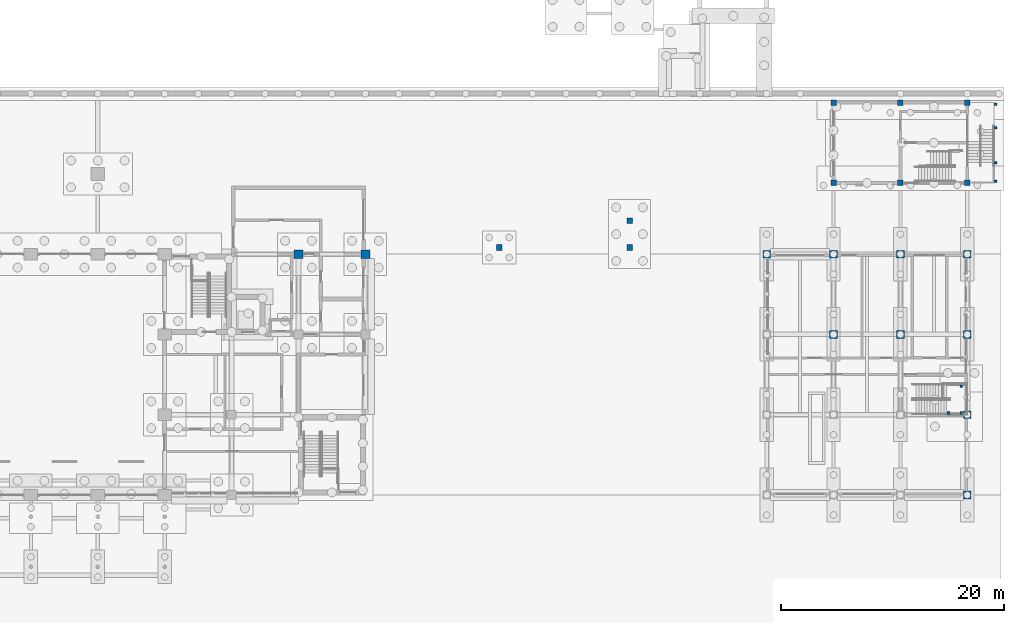
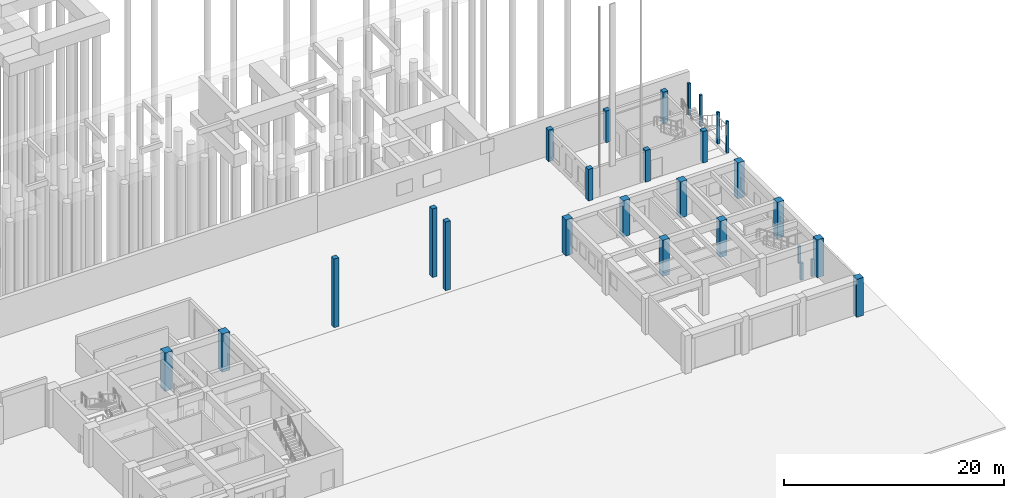
# One storey, part 12 of 37: 27 columns.
"""IFC4 building model written with IfcOpenShell, lengths in metres."""

from ifc_helpers import new_model, si_unit, direction, frame, origin, origin_2d, place, context, subcontext, project, spatial, rectangle, extrude, material, material_profile, profile_set, type_object, element, save


model = new_model("IFC4")

# Units and contexts
model_context = context("Model", 3, precision=1e-05, world=origin(), true_north=direction((0.0, 1.0)))
body_context = subcontext(model_context, "Body", "Model", "MODEL_VIEW")
ifc_project = project(units=[si_unit("LENGTHUNIT", "METRE"), si_unit("AREAUNIT", "SQUARE_METRE"), si_unit("VOLUMEUNIT", "CUBIC_METRE"), si_unit("PLANEANGLEUNIT", "RADIAN"), si_unit("MASSUNIT", "GRAM", prefix="KILO")], contexts=[model_context])

# Site, building, storey
site_placement = place(None, origin())
site = spatial("IfcSite", under=ifc_project, at=site_placement, CompositionType="ELEMENT")
building_placement = place(site_placement, origin())
building = spatial("IfcBuilding", under=site, at=building_placement, Name="Laocheng Heights Fire and Rescue Headquarters", CompositionType="ELEMENT")
storey_placement = place(building_placement, origin())
storey = spatial("IfcBuildingStorey", under=building, at=storey_placement, Name="L00", CompositionType="ELEMENT", Elevation=0.0)

# Columns
ifc_material_1 = material(Name="Concrete C40", Category="concrete")
ifc_material_profile_1 = material_profile(ifc_material_1, rectangle(XDim=0.5, YDim=0.5, at=origin_2d()), Name="RC COLUMN 500x500 BRIDGE PIER")
ifc_profile_set_1 = profile_set([ifc_material_profile_1], Name="Concrete C40")
column_type_1 = type_object("IfcColumnType", Name="RC COLUMN 500x500 BRIDGE PIER", PredefinedType="COLUMN", material=ifc_profile_set_1)
for number, where, z_axis, x_axis, name in (
    (1, (84.0, 22.199951171875, 0.0), (0.0, 0.0, 1.0), (1.0, 0.0, 0.0), "Bridge pier"),
    (2, (95.699951171875, 22.199951171875, 0.0), (0.0, 0.0, 1.0), (1.0, 0.0, 0.0), "Bridge B4 corner pier"),
    (3, (95.699951171875, 24.60009765625, 0.0), (0.0, 0.0, 1.0), (1.0, 0.0, 0.0), "Bridge B4 corner pier"),
):
    element("IfcColumn", number, at=place(storey_placement, frame(where, z_axis=z_axis, x_axis=x_axis)), inside=storey, type_object=column_type_1, Name=name, PredefinedType="COLUMN", context=body_context, shape_type="SweptSolid", body=[
        extrude(rectangle(XDim=0.5, YDim=0.5, at=origin_2d()), origin(), (0.0, 0.0, 1.0), 7.60009765625),
    ])
ifc_material_2 = material(Name="Concrete C50", Category="concrete")
ifc_material_profile_2 = material_profile(ifc_material_2, rectangle(XDim=0.5, YDim=0.5, at=origin_2d()), Name="RC COLUMN 500x500 C50 DRILL TOWER")
ifc_profile_set_2 = profile_set([ifc_material_profile_2], Name="Concrete C50")
column_type_2 = type_object("IfcColumnType", Name="RC COLUMN 500x500 C50 DRILL TOWER", PredefinedType="COLUMN", material=ifc_profile_set_2)
for number, where, z_axis, x_axis, name in (
    (4, (114.0, 28.0, 0.0), (0.0, 0.0, 1.0), (1.0, 0.0, 0.0), "Drill tower column F1 114/28"),
    (5, (120.0, 28.0, 0.0), (0.0, 0.0, 1.0), (1.0, 0.0, 0.0), "Drill tower column F1 120/28"),
    (6, (126.0, 28.0, 0.0), (0.0, 0.0, 1.0), (1.0, 0.0, 0.0), "Drill tower column F1 126/28"),
    (7, (114.0, 35.199951171875, 0.0), (0.0, 0.0, 1.0), (1.0, 0.0, 0.0), "Drill tower column F1 114/35.2"),
    (8, (120.0, 35.199951171875, 0.0), (0.0, 0.0, 1.0), (1.0, 0.0, 0.0), "Drill tower column F1 120/35.2"),
    (9, (126.0, 35.199951171875, 0.0), (0.0, 0.0, 1.0), (1.0, 0.0, 0.0), "Drill tower column F1 126/35.2"),
):
    element("IfcColumn", number, at=place(storey_placement, frame(where, z_axis=z_axis, x_axis=x_axis)), inside=storey, type_object=column_type_2, Name=name, PredefinedType="COLUMN", context=body_context, shape_type="SweptSolid", body=[
        extrude(rectangle(XDim=0.5, YDim=0.5, at=origin_2d()), origin(), (0.0, 0.0, 1.0), 3.5),
    ])
ifc_material_3 = material(Name="Concrete C45", Category="concrete")
ifc_material_profile_3 = material_profile(ifc_material_3, rectangle(XDim=0.699951171875, YDim=0.699951171875, at=origin_2d()), Name="RC COLUMN 700x700 WORKSHOP")
ifc_profile_set_3 = profile_set([ifc_material_profile_3], Name="Concrete C45")
column_type_3 = type_object("IfcColumnType", Name="RC COLUMN 700x700 WORKSHOP", PredefinedType="COLUMN", material=ifc_profile_set_3)
for number, where, z_axis, x_axis, name in (
    (10, (126.0, 0.0, 0.0), (0.0, 0.0, 1.0), (1.0, 0.0, 0.0), "Workshop column"),
    (11, (126.0, 7.199951171875, 0.0), (0.0, 0.0, 1.0), (1.0, 0.0, 0.0), "Workshop column"),
):
    element("IfcColumn", number, at=place(storey_placement, frame(where, z_axis=z_axis, x_axis=x_axis)), inside=storey, type_object=column_type_3, Name=name, PredefinedType="COLUMN", context=body_context, shape_type="SweptSolid", body=[
        extrude(rectangle(XDim=0.699951171875, YDim=0.699951171875, at=origin_2d()), origin(), (0.0, 0.0, 1.0), 4.199951171875),
    ])
for number, where, z_axis, x_axis, name in (
    (12, (114.0, 14.39990234375, 0.0), (0.0, 0.0, 1.0), (1.0, 0.0, 0.0), "Workshop column"),
    (13, (120.0, 14.39990234375, 0.0), (0.0, 0.0, 1.0), (1.0, 0.0, 0.0), "Workshop column"),
    (14, (126.0, 14.39990234375, 0.0), (0.0, 0.0, 1.0), (1.0, 0.0, 0.0), "Workshop column"),
    (15, (108.0, 21.60009765625, 0.0), (0.0, 0.0, 1.0), (1.0, 0.0, 0.0), "Workshop column"),
    (16, (114.0, 21.60009765625, 0.0), (0.0, 0.0, 1.0), (1.0, 0.0, 0.0), "Workshop column"),
    (17, (120.0, 21.60009765625, 0.0), (0.0, 0.0, 1.0), (1.0, 0.0, 0.0), "Workshop column"),
    (18, (126.0, 21.60009765625, 0.0), (0.0, 0.0, 1.0), (1.0, 0.0, 0.0), "Workshop column"),
):
    element("IfcColumn", number, at=place(storey_placement, frame(where, z_axis=z_axis, x_axis=x_axis)), inside=storey, type_object=column_type_3, Name=name, PredefinedType="COLUMN", context=body_context, shape_type="SweptSolid", body=[
        extrude(rectangle(XDim=0.699951171875, YDim=0.699951171875, at=origin_2d()), origin(), (0.0, 0.0, 1.0), 4.0),
    ])
ifc_material_4 = material(Name="Concrete C50", Category="concrete")
ifc_material_profile_4 = material_profile(ifc_material_4, rectangle(XDim=0.800048828125, YDim=0.800048828125, at=origin_2d()), Name="RC COLUMN 800x800 PAVILION")
ifc_profile_set_4 = profile_set([ifc_material_profile_4], Name="Concrete C50")
column_type_4 = type_object("IfcColumnType", Name="RC COLUMN 800x800 PAVILION", PredefinedType="COLUMN", material=ifc_profile_set_4)
for number, where, z_axis, x_axis, name in (
    (19, (66.0, 21.60009765625, -0.25), (0.0, 0.0, 1.0), (1.0, 0.0, 0.0), "Pavilion column"),
    (20, (72.0, 21.60009765625, -0.25), (0.0, 0.0, 1.0), (1.0, 0.0, 0.0), "Pavilion column"),
):
    element("IfcColumn", number, at=place(storey_placement, frame(where, z_axis=z_axis, x_axis=x_axis)), inside=storey, type_object=column_type_4, Name=name, PredefinedType="COLUMN", context=body_context, shape_type="SweptSolid", body=[
        extrude(rectangle(XDim=0.800048828125, YDim=0.800048828125, at=origin_2d()), origin(), (0.0, 0.0, 1.0), 4.25),
    ])
ifc_material_5 = material(Name="Concrete C40", Category="concrete")
ifc_material_profile_5 = material_profile(ifc_material_5, rectangle(XDim=0.25, YDim=0.25, at=origin_2d()), Name="STAIR LANDING POST 250x250")
ifc_profile_set_5 = profile_set([ifc_material_profile_5], Name="Concrete C40")
column_type_5 = type_object("IfcColumnType", Name="STAIR LANDING POST 250x250", PredefinedType="COLUMN", material=ifc_profile_set_5)
for number, where, z_axis, x_axis, name in (
    (21, (125.449951171875, 7.35009765625, 0.0), (0.0, 0.0, 1.0), (1.0, 0.0, 0.0), "Stair W3 landing post L00 1"),
    (22, (125.449951171875, 9.75, 0.0), (0.0, 0.0, 1.0), (1.0, 0.0, 0.0), "Stair W3 landing post L00 2"),
    (23, (124.300048828125, 7.35009765625, 0.0), (0.0, 0.0, 1.0), (1.0, 0.0, 0.0), "Stair W3 landing post L00 3"),
):
    element("IfcColumn", number, at=place(storey_placement, frame(where, z_axis=z_axis, x_axis=x_axis)), inside=storey, type_object=column_type_5, Name=name, PredefinedType="COLUMN", context=body_context, shape_type="SweptSolid", body=[
        extrude(rectangle(XDim=0.25, YDim=0.25, at=origin_2d()), origin(), (0.0, 0.0, 1.0), 1.89990234375),
    ])
for number, where, z_axis, x_axis, name in (
    (24, (128.52490234375, 32.945068359375, 0.0), (0.0, 0.0, 1.0), (1.0, 0.0, 0.0), "Stair T2 landing post F1 1"),
    (25, (128.52490234375, 35.054931640625, 0.0), (0.0, 0.0, 1.0), (1.0, 0.0, 0.0), "Stair T2 landing post F1 2"),
    (26, (128.52490234375, 28.14501953125, 0.0), (0.0, 0.0, 1.0), (1.0, 0.0, 0.0), "Stair T2 landing post F1 3"),
    (27, (128.52490234375, 29.796875, 0.0), (0.0, 0.0, 1.0), (1.0, 0.0, 0.0), "Stair T2 landing post F1 4"),
):
    element("IfcColumn", number, at=place(storey_placement, frame(where, z_axis=z_axis, x_axis=x_axis)), inside=storey, type_object=column_type_5, Name=name, PredefinedType="COLUMN", context=body_context, shape_type="SweptSolid", body=[
        extrude(rectangle(XDim=0.25, YDim=0.25, at=origin_2d()), origin(), (0.0, 0.0, 1.0), 3.5),
    ])

save(model, "model.ifc")
